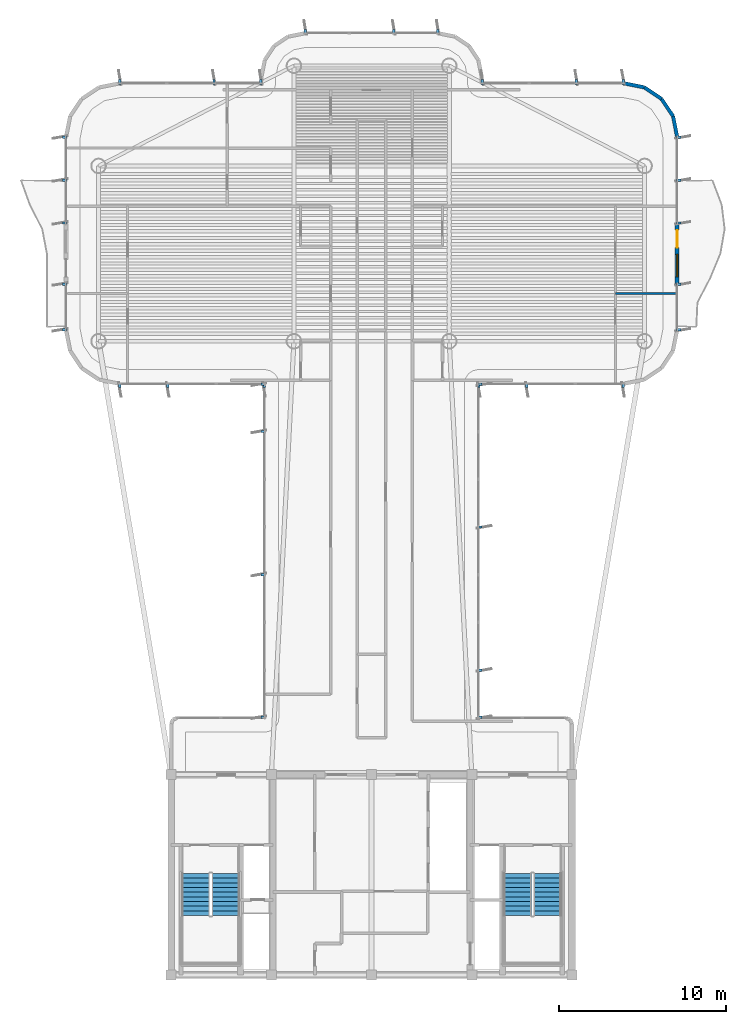
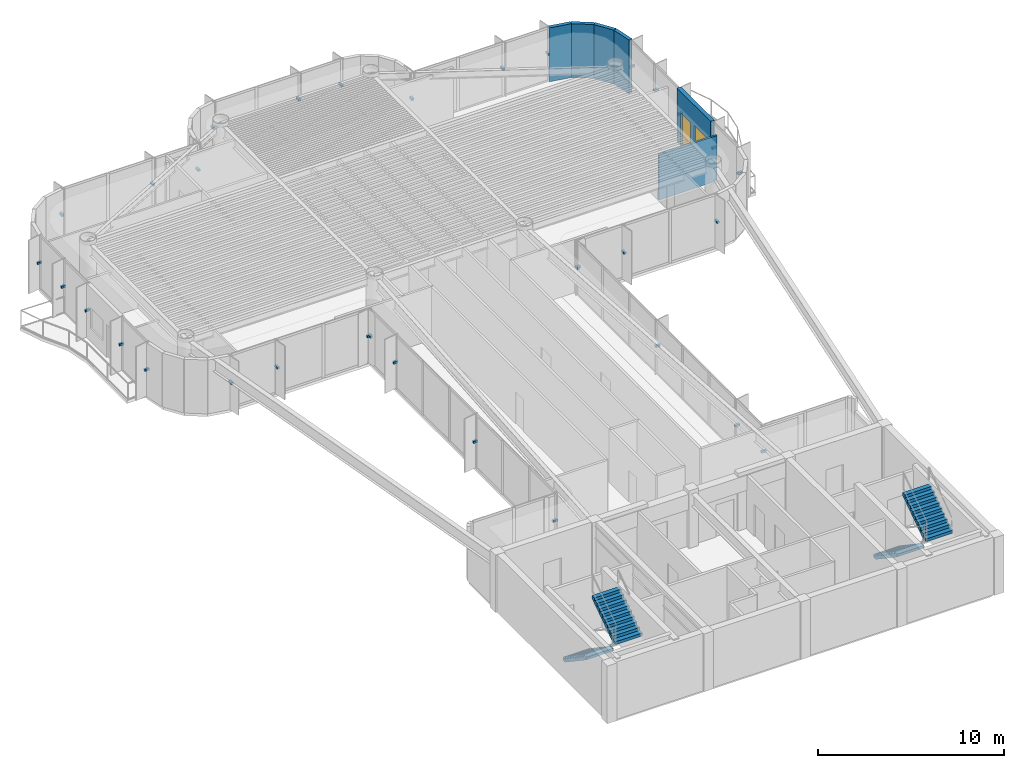
# One storey, part 13 of 15: 33 discrete accessories, 6 walls, 4 stair flights, 1 door, 1 window, 2 openings, 2 elements without a shape of their own.
"""IFC4 building model written with IfcOpenShell, lengths in metres."""

from ifc_helpers import new_model, si_unit, direction, frame, frame_2d, origin, origin_2d, place, context, subcontext, project, spatial, polyline, rectangle, outline, extrude, source, transform, mapped, material, layer, layer_set, type_object, element, fill, aggregate, save


model = new_model("IFC4")

# Units and contexts
model_context = context("Model", 3, precision=1e-05, world=origin(), true_north=direction((0.0, 1.0)))
body_context = subcontext(model_context, "Body", "Model", "MODEL_VIEW")
ifc_project = project(units=[si_unit("LENGTHUNIT", "METRE"), si_unit("AREAUNIT", "SQUARE_METRE"), si_unit("VOLUMEUNIT", "CUBIC_METRE"), si_unit("PLANEANGLEUNIT", "RADIAN"), si_unit("MASSUNIT", "GRAM", prefix="KILO")], contexts=[model_context])

# Site, building, storey
site_placement = place(None, origin())
site = spatial("IfcSite", under=ifc_project, at=site_placement, CompositionType="ELEMENT")
building_placement = place(site_placement, origin())
building = spatial("IfcBuilding", under=site, at=building_placement, Name="Brelvock Crest Care Tower", CompositionType="ELEMENT")
storey_placement = place(building_placement, frame((0.0, 0.0, 272.159912109375)))
storey = spatial("IfcBuildingStorey", under=building, at=storey_placement, Name="L69", CompositionType="ELEMENT", Elevation=272.159912109375)

# Wall, openings, door, window
ifc_material_1 = material(Name="Precast concrete N40 (40 MPa)", Category="concrete")
ifc_layer_1 = layer(ifc_material_1, 0.239990234375, Name="WL-EX1")
ifc_layer_set_1 = layer_set([ifc_layer_1], Name="Precast concrete N40 (40 MPa)")
wall_type_1 = type_object("IfcWallType", Name="WL-EX1", PredefinedType="SOLIDWALL", material=ifc_layer_set_1)
wall_1_placement = place(storey_placement, frame((54.300048828125, 51.0, 0.0), z_axis=(0.0, 0.0, 1.0), x_axis=(0.0, -1.0, 0.0)))
wall_1 = element("IfcWall", 1, at=wall_1_placement, inside=storey, type_object=wall_type_1, Name="L69 Exterior Spandrel Wall WL-BAL-L69-E", PredefinedType="SOLIDWALL", context=body_context, shape_type="SweptSolid", body=[
    extrude(rectangle(XDim=3.60009765625, YDim=0.239990234375, at=frame_2d((1.800048828125, 0.0))), origin(), (0.0, 0.0, 1.0), 3.530029296875),
])
opening_1_placement = place(wall_1_placement, frame((0.39990234375, 0.0, 0.0)))
opening_1 = element("IfcOpeningElement", 2, at=opening_1_placement, cuts=wall_1, Name="Opening BD-1", PredefinedType="OPENING", context=body_context, shape_type="SweptSolid", body=[
    extrude(rectangle(XDim=1.050048828125, YDim=2.14990234375, at=origin_2d()), frame((0.52490234375, 0.1298828125, 1.074951171875), z_axis=(0.0, -1.0, 0.0), x_axis=(1.0, 0.0, 0.0)), (0.0, 0.0, 1.0), 0.260009765625),
])
opening_2_placement = place(wall_1_placement, frame((1.85009765625, 0.0, 0.85009765625)))
opening_2 = element("IfcOpeningElement", 3, at=opening_2_placement, cuts=wall_1, Name="Opening W-01", PredefinedType="OPENING", context=body_context, shape_type="SweptSolid", body=[
    extrude(rectangle(XDim=1.35009765625, YDim=1.35009765625, at=origin_2d()), frame((0.675048828125, 0.1298828125, 0.675048828125), z_axis=(0.0, -1.0, 0.0), x_axis=(1.0, 0.0, 0.0)), (0.0, 0.0, 1.0), 0.260009765625),
])
ifc_material_2 = material(Name="Dark Glass Double Glazed Low-E", Category="glass")
door_type = type_object("IfcDoorType", Name="DR-BAL1", OperationType="NOTDEFINED", PredefinedType="DOOR", material=ifc_material_2)
shared_shape_1 = source(origin(), body_context, "Body", "SweptSolid", [
    extrude(rectangle(XDim=1.050048828125, YDim=2.14990234375, at=origin_2d()), frame((0.52490234375, 0.02490234375, 1.074951171875), z_axis=(0.0, -1.0, 0.0), x_axis=(1.0, 0.0, 0.0)), (0.0, 0.0, 1.0), 0.050048828125),
])
door_placement = place(opening_1_placement, origin())
door = element("IfcDoor", 4, at=door_placement, inside=storey, type_object=door_type, Name="L69 E Wave Balcony Glazed Door", OperationType="SINGLE_SWING_RIGHT", OverallHeight=2.14990234375, OverallWidth=1.050048828125, PredefinedType="DOOR", context=body_context, shape_type="MappedRepresentation", body=[
    mapped(shared_shape_1, transform((0.0, 0.0, 0.0), x_axis=(1.0, 0.0, 0.0), y_axis=(0.0, 1.0, 0.0), z_axis=(0.0, 0.0, 1.0), scale=1.0)),
])
fill(opening_1, door)
window_type = type_object("IfcWindowType", Name="WN-EX1", PartitioningType="SINGLE_PANEL", PredefinedType="WINDOW", material=ifc_material_2)
shared_shape_2 = source(origin(), body_context, "Body", "SweptSolid", [
    extrude(rectangle(XDim=1.35009765625, YDim=1.35009765625, at=origin_2d()), frame((0.675048828125, 0.030029296875, 0.675048828125), z_axis=(0.0, -1.0, 0.0), x_axis=(1.0, 0.0, 0.0)), (0.0, 0.0, 1.0), 0.06005859375),
])
window_placement = place(opening_2_placement, origin())
window = element("IfcWindow", 5, at=window_placement, inside=storey, type_object=window_type, Name="L69 E Suite Casement Window", OverallHeight=1.35009765625, OverallWidth=1.35009765625, PartitioningType="SINGLE_PANEL", PredefinedType="WINDOW", context=body_context, shape_type="MappedRepresentation", body=[
    mapped(shared_shape_2, transform((0.0, 0.0, 0.0), x_axis=(1.0, 0.0, 0.0), y_axis=(0.0, 1.0, 0.0), z_axis=(0.0, 0.0, 1.0), scale=1.0)),
])
fill(opening_2, window)

# Walls
ifc_layer_2 = layer(ifc_material_1, 0.215087890625, Name="WL-EX2")
ifc_layer_set_2 = layer_set([ifc_layer_2], Name="Precast concrete N40 (40 MPa)")
wall_type_2 = type_object("IfcWallType", Name="WL-EX2", PredefinedType="SOLIDWALL", material=ifc_layer_set_2)
for number, where, z_axis, x_axis, name in (
    (6, (51.10009765625, 59.39990234375, 0.0), (0.0, 0.0, 1.0), (0.980813122964, -0.194950295773, 0.0), "L69 Rounded Corner Wall 35"),
    (7, (52.32470703125, 59.156494140625, 0.0), (0.0, 0.0, 1.0), (0.831387912822, -0.555692485475, 0.0), "L69 Rounded Corner Wall 36"),
    (8, (53.36279296875, 58.462646484375, 0.0), (0.0, 0.0, 1.0), (0.555557312883, -0.831478245117, 0.0), "L69 Rounded Corner Wall 37"),
    (9, (54.056396484375, 57.424560546875, 0.0), (0.0, 0.0, 1.0), (0.195138390419, -0.980775717779, 0.0), "L69 Rounded Corner Wall 38"),
):
    element("IfcWall", number, at=place(storey_placement, frame(where, z_axis=z_axis, x_axis=x_axis)), inside=storey, type_object=wall_type_2, Name=name, PredefinedType="SOLIDWALL", context=body_context, shape_type="SweptSolid", body=[
        extrude(rectangle(XDim=1.24853515625, YDim=0.215087890625, at=frame_2d((0.624267578125, 0.0))), origin(), (0.0, 0.0, 1.0), 3.530029296875),
    ])
ifc_material_3 = material(Name="Gypsum Plasterboard Partition", Category="gypsum")
ifc_layer_3 = layer(ifc_material_3, 0.1201171875, Name="WL-INT2")
ifc_layer_set_3 = layer_set([ifc_layer_3], Name="Gypsum Plasterboard Partition")
wall_type_3 = type_object("IfcWallType", Name="WL-INT2", PredefinedType="PARTITIONING", material=ifc_layer_set_3)
wall_2_placement = place(storey_placement, frame((50.610107421875, 46.820068359375, 0.0), z_axis=(0.0, 0.0, 1.0), x_axis=(1.0, 0.0, 0.0)))
element("IfcWall", 10, at=wall_2_placement, inside=storey, type_object=wall_type_3, Name="L69 Interior Wall WL-UBSP-L69-EF1", PredefinedType="PARTITIONING", context=body_context, shape_type="SweptSolid", body=[
    extrude(rectangle(XDim=3.60986328125, YDim=0.1201171875, at=frame_2d((1.804931640625, 0.0))), origin(), (0.0, 0.0, 1.0), 2.982177734375),
])

# Stair, stair flights
ifc_material_4 = material(Name="Concrete N40 (40 MPa)", Category="concrete")
stair_type = type_object("IfcStairType", Name="ST-CORE1", PredefinedType="HALF_TURN_STAIR", material=ifc_material_4)
stair_1_placement = place(storey_placement, origin())
stair_1 = element("IfcStair", 11, at=stair_1_placement, inside=storey, type_object=stair_type, Name="L69 Fire-Isolated Core Stair ST-1", PredefinedType="HALF_TURN_STAIR")
stair_flight_type = type_object("IfcStairFlightType", Name="STF-1", PredefinedType="STRAIGHT", material=ifc_material_4)
stair_flight_1_placement = place(storey_placement, frame((25.469970703125, 12.080078125, 0.0), z_axis=(0.0, 0.0, 1.0), x_axis=(0.0, -1.0, 0.0)))
stair_flight_1 = element("IfcStairFlight", 12, at=stair_flight_1_placement, type_object=stair_flight_type, Name="ST-1 flight 1", NumberOfRisers=10, NumberOfTreads=9, PredefinedType="STRAIGHT", RiserHeight=0.189, TreadLength=0.28, context=body_context, shape_type="SweptSolid", body=[
    extrude(outline(polyline([(-0.00390625, -0.014892578125), (-0.00390625, -0.0078125), (-0.00390625, -0.00048828125), (-0.00390625, 0.0068359375), (-0.00390625, 0.01416015625), (-0.00390625, 0.021484375), (-0.00390625, 0.02880859375), (-0.00390625, 0.035888671875), (-0.00390625, 0.043212890625), (-0.00390625, 0.050537109375), (-0.00390625, 0.057861328125), (-0.00390625, 0.065185546875), (-0.00390625, 0.072509765625), (-0.00390625, 0.07958984375), (-0.00390625, 0.0869140625), (-0.00390625, 0.09423828125), (-0.00390625, 0.1015625), (-0.00390625, 0.10888671875), (-0.00390625, 0.1162109375), (-0.00390625, 0.12353515625), (-0.00390625, 0.130615234375), (-0.00390625, 0.137939453125), (-0.00390625, 0.145263671875), (-0.00390625, 0.152587890625), (-0.00390625, 0.159912109375), (-0.00390625, 0.167236328125), (-0.00390625, 0.17431640625), (-0.00390625, 0.181640625), (-0.00390625, 0.18896484375), (0.0, 0.18896484375), (0.280029296875, 0.18896484375), (0.280029296875, 0.3779296875), (0.56005859375, 0.3779296875), (0.56005859375, 0.56689453125), (0.840087890625, 0.56689453125), (0.840087890625, 0.756103515625), (1.1201171875, 0.756103515625), (1.1201171875, 0.945068359375), (1.39990234375, 0.945068359375), (1.39990234375, 1.134033203125), (1.679931640625, 1.134033203125), (1.679931640625, 1.322998046875), (1.9599609375, 1.322998046875), (1.9599609375, 1.511962890625), (2.239990234375, 1.511962890625), (2.239990234375, 1.700927734375), (2.52001953125, 1.700927734375), (2.52392578125, 1.700927734375), (2.523681640625, 1.70068359375), (2.52392578125, 1.700439453125), (2.523681640625, 1.699951171875), (2.52392578125, 1.69970703125), (2.523681640625, 1.699462890625), (2.52392578125, 1.698974609375), (2.523681640625, 1.69873046875), (2.52392578125, 1.698486328125), (2.523681640625, 1.697998046875), (2.52392578125, 1.69775390625), (2.523681640625, 1.697509765625), (2.52392578125, 1.697021484375), (2.523681640625, 1.69677734375), (2.52392578125, 1.696533203125), (2.523681640625, 1.6962890625), (2.52392578125, 1.69580078125), (2.523681640625, 1.695556640625), (2.52392578125, 1.6953125), (2.523681640625, 1.69482421875), (2.52392578125, 1.694580078125), (2.523681640625, 1.6943359375), (2.52392578125, 1.69384765625), (2.523681640625, 1.693603515625), (2.52392578125, 1.693359375), (2.523681640625, 1.69287109375), (2.52392578125, 1.692626953125), (2.523681640625, 1.6923828125), (2.52392578125, 1.69189453125), (2.52001953125, 1.520263671875), (0.267822265625, 0.0), (0.0, 0.0), (0.0, -0.014892578125), (-0.00390625, -0.014892578125)])), frame((0.0, 0.83984375, 0.0), z_axis=(0.0, -1.0, 0.0), x_axis=(1.0, 0.0, 0.0)), (0.0, 0.0, 1.0), 1.679931640625),
])
stair_flight_2_placement = place(storey_placement, frame((27.27001953125, 9.56005859375, 1.89013671875), z_axis=(0.0, 0.0, 1.0), x_axis=(0.0, 1.0, 0.0)))
stair_flight_2 = element("IfcStairFlight", 13, at=stair_flight_2_placement, type_object=stair_flight_type, Name="ST-1 flight 2", NumberOfRisers=10, NumberOfTreads=9, PredefinedType="STRAIGHT", RiserHeight=0.189, TreadLength=0.28, context=body_context, shape_type="SweptSolid", body=[
    extrude(outline(polyline([(-0.00390625, -0.014892578125), (-0.00390625, -0.0078125), (-0.00390625, -0.00048828125), (-0.00390625, 0.0068359375), (-0.00390625, 0.01416015625), (-0.00390625, 0.021484375), (-0.00390625, 0.02880859375), (-0.00390625, 0.035888671875), (-0.00390625, 0.043212890625), (-0.00390625, 0.050537109375), (-0.00390625, 0.057861328125), (-0.00390625, 0.065185546875), (-0.00390625, 0.072509765625), (-0.00390625, 0.07958984375), (-0.00390625, 0.0869140625), (-0.00390625, 0.09423828125), (-0.00390625, 0.1015625), (-0.00390625, 0.10888671875), (-0.00390625, 0.1162109375), (-0.00390625, 0.12353515625), (-0.00390625, 0.130615234375), (-0.00390625, 0.137939453125), (-0.00390625, 0.145263671875), (-0.00390625, 0.152587890625), (-0.00390625, 0.159912109375), (-0.00390625, 0.167236328125), (-0.00390625, 0.17431640625), (-0.00390625, 0.181640625), (-0.00390625, 0.18896484375), (0.0, 0.18896484375), (0.280029296875, 0.18896484375), (0.280029296875, 0.3779296875), (0.56005859375, 0.3779296875), (0.56005859375, 0.56689453125), (0.840087890625, 0.56689453125), (0.840087890625, 0.756103515625), (1.1201171875, 0.756103515625), (1.1201171875, 0.945068359375), (1.39990234375, 0.945068359375), (1.39990234375, 1.134033203125), (1.679931640625, 1.134033203125), (1.679931640625, 1.322998046875), (1.9599609375, 1.322998046875), (1.9599609375, 1.511962890625), (2.239990234375, 1.511962890625), (2.239990234375, 1.700927734375), (2.52001953125, 1.700927734375), (2.52392578125, 1.700927734375), (2.523681640625, 1.70068359375), (2.52392578125, 1.700439453125), (2.523681640625, 1.699951171875), (2.52392578125, 1.69970703125), (2.523681640625, 1.699462890625), (2.52392578125, 1.698974609375), (2.523681640625, 1.69873046875), (2.52392578125, 1.698486328125), (2.523681640625, 1.697998046875), (2.52392578125, 1.69775390625), (2.523681640625, 1.697509765625), (2.52392578125, 1.697021484375), (2.523681640625, 1.69677734375), (2.52392578125, 1.696533203125), (2.523681640625, 1.6962890625), (2.52392578125, 1.69580078125), (2.523681640625, 1.695556640625), (2.52392578125, 1.6953125), (2.523681640625, 1.69482421875), (2.52392578125, 1.694580078125), (2.523681640625, 1.6943359375), (2.52392578125, 1.69384765625), (2.523681640625, 1.693603515625), (2.52392578125, 1.693359375), (2.523681640625, 1.69287109375), (2.52392578125, 1.692626953125), (2.523681640625, 1.6923828125), (2.52392578125, 1.69189453125), (2.52001953125, 1.520263671875), (0.267822265625, 0.0), (0.0, 0.0), (0.0, -0.014892578125), (-0.00390625, -0.014892578125)])), frame((0.0, 0.83984375, 0.0), z_axis=(0.0, -1.0, 0.0), x_axis=(1.0, 0.0, 0.0)), (0.0, 0.0, 1.0), 1.679931640625),
])
aggregate(stair_1, [stair_flight_1, stair_flight_2])

stair_2_placement = place(storey_placement, origin())
stair_2 = element("IfcStair", 14, at=stair_2_placement, inside=storey, type_object=stair_type, Name="L69 Fire-Isolated Core Stair ST-2", PredefinedType="HALF_TURN_STAIR")
stair_flight_3_placement = place(storey_placement, frame((44.72998046875, 12.080078125, 0.0), z_axis=(0.0, 0.0, 1.0), x_axis=(0.0, -1.0, 0.0)))
stair_flight_3 = element("IfcStairFlight", 15, at=stair_flight_3_placement, type_object=stair_flight_type, Name="ST-2 flight 1", NumberOfRisers=10, NumberOfTreads=9, PredefinedType="STRAIGHT", RiserHeight=0.189, TreadLength=0.28, context=body_context, shape_type="SweptSolid", body=[
    extrude(outline(polyline([(-0.00390625, -0.014892578125), (-0.00390625, -0.0078125), (-0.00390625, -0.00048828125), (-0.00390625, 0.0068359375), (-0.00390625, 0.01416015625), (-0.00390625, 0.021484375), (-0.00390625, 0.02880859375), (-0.00390625, 0.035888671875), (-0.00390625, 0.043212890625), (-0.00390625, 0.050537109375), (-0.00390625, 0.057861328125), (-0.00390625, 0.065185546875), (-0.00390625, 0.072509765625), (-0.00390625, 0.07958984375), (-0.00390625, 0.0869140625), (-0.00390625, 0.09423828125), (-0.00390625, 0.1015625), (-0.00390625, 0.10888671875), (-0.00390625, 0.1162109375), (-0.00390625, 0.12353515625), (-0.00390625, 0.130615234375), (-0.00390625, 0.137939453125), (-0.00390625, 0.145263671875), (-0.00390625, 0.152587890625), (-0.00390625, 0.159912109375), (-0.00390625, 0.167236328125), (-0.00390625, 0.17431640625), (-0.00390625, 0.181640625), (-0.00390625, 0.18896484375), (0.0, 0.18896484375), (0.280029296875, 0.18896484375), (0.280029296875, 0.3779296875), (0.56005859375, 0.3779296875), (0.56005859375, 0.56689453125), (0.840087890625, 0.56689453125), (0.840087890625, 0.756103515625), (1.1201171875, 0.756103515625), (1.1201171875, 0.945068359375), (1.39990234375, 0.945068359375), (1.39990234375, 1.134033203125), (1.679931640625, 1.134033203125), (1.679931640625, 1.322998046875), (1.9599609375, 1.322998046875), (1.9599609375, 1.511962890625), (2.239990234375, 1.511962890625), (2.239990234375, 1.700927734375), (2.52001953125, 1.700927734375), (2.52392578125, 1.700927734375), (2.523681640625, 1.70068359375), (2.52392578125, 1.700439453125), (2.523681640625, 1.699951171875), (2.52392578125, 1.69970703125), (2.523681640625, 1.699462890625), (2.52392578125, 1.698974609375), (2.523681640625, 1.69873046875), (2.52392578125, 1.698486328125), (2.523681640625, 1.697998046875), (2.52392578125, 1.69775390625), (2.523681640625, 1.697509765625), (2.52392578125, 1.697021484375), (2.523681640625, 1.69677734375), (2.52392578125, 1.696533203125), (2.523681640625, 1.6962890625), (2.52392578125, 1.69580078125), (2.523681640625, 1.695556640625), (2.52392578125, 1.6953125), (2.523681640625, 1.69482421875), (2.52392578125, 1.694580078125), (2.523681640625, 1.6943359375), (2.52392578125, 1.69384765625), (2.523681640625, 1.693603515625), (2.52392578125, 1.693359375), (2.523681640625, 1.69287109375), (2.52392578125, 1.692626953125), (2.523681640625, 1.6923828125), (2.52392578125, 1.69189453125), (2.52001953125, 1.520263671875), (0.267822265625, 0.0), (0.0, 0.0), (0.0, -0.014892578125), (-0.00390625, -0.014892578125)])), frame((0.0, 0.83984375, 0.0), z_axis=(0.0, -1.0, 0.0), x_axis=(1.0, 0.0, 0.0)), (0.0, 0.0, 1.0), 1.679931640625),
])
stair_flight_4_placement = place(storey_placement, frame((46.530029296875, 9.56005859375, 1.89013671875), z_axis=(0.0, 0.0, 1.0), x_axis=(0.0, 1.0, 0.0)))
stair_flight_4 = element("IfcStairFlight", 16, at=stair_flight_4_placement, type_object=stair_flight_type, Name="ST-2 flight 2", NumberOfRisers=10, NumberOfTreads=9, PredefinedType="STRAIGHT", RiserHeight=0.189, TreadLength=0.28, context=body_context, shape_type="SweptSolid", body=[
    extrude(outline(polyline([(-0.00390625, -0.014892578125), (-0.00390625, -0.0078125), (-0.00390625, -0.00048828125), (-0.00390625, 0.0068359375), (-0.00390625, 0.01416015625), (-0.00390625, 0.021484375), (-0.00390625, 0.02880859375), (-0.00390625, 0.035888671875), (-0.00390625, 0.043212890625), (-0.00390625, 0.050537109375), (-0.00390625, 0.057861328125), (-0.00390625, 0.065185546875), (-0.00390625, 0.072509765625), (-0.00390625, 0.07958984375), (-0.00390625, 0.0869140625), (-0.00390625, 0.09423828125), (-0.00390625, 0.1015625), (-0.00390625, 0.10888671875), (-0.00390625, 0.1162109375), (-0.00390625, 0.12353515625), (-0.00390625, 0.130615234375), (-0.00390625, 0.137939453125), (-0.00390625, 0.145263671875), (-0.00390625, 0.152587890625), (-0.00390625, 0.159912109375), (-0.00390625, 0.167236328125), (-0.00390625, 0.17431640625), (-0.00390625, 0.181640625), (-0.00390625, 0.18896484375), (0.0, 0.18896484375), (0.280029296875, 0.18896484375), (0.280029296875, 0.3779296875), (0.56005859375, 0.3779296875), (0.56005859375, 0.56689453125), (0.840087890625, 0.56689453125), (0.840087890625, 0.756103515625), (1.1201171875, 0.756103515625), (1.1201171875, 0.945068359375), (1.39990234375, 0.945068359375), (1.39990234375, 1.134033203125), (1.679931640625, 1.134033203125), (1.679931640625, 1.322998046875), (1.9599609375, 1.322998046875), (1.9599609375, 1.511962890625), (2.239990234375, 1.511962890625), (2.239990234375, 1.700927734375), (2.52001953125, 1.700927734375), (2.52392578125, 1.700927734375), (2.523681640625, 1.70068359375), (2.52392578125, 1.700439453125), (2.523681640625, 1.699951171875), (2.52392578125, 1.69970703125), (2.523681640625, 1.699462890625), (2.52392578125, 1.698974609375), (2.523681640625, 1.69873046875), (2.52392578125, 1.698486328125), (2.523681640625, 1.697998046875), (2.52392578125, 1.69775390625), (2.523681640625, 1.697509765625), (2.52392578125, 1.697021484375), (2.523681640625, 1.69677734375), (2.52392578125, 1.696533203125), (2.523681640625, 1.6962890625), (2.52392578125, 1.69580078125), (2.523681640625, 1.695556640625), (2.52392578125, 1.6953125), (2.523681640625, 1.69482421875), (2.52392578125, 1.694580078125), (2.523681640625, 1.6943359375), (2.52392578125, 1.69384765625), (2.523681640625, 1.693603515625), (2.52392578125, 1.693359375), (2.523681640625, 1.69287109375), (2.52392578125, 1.692626953125), (2.523681640625, 1.6923828125), (2.52392578125, 1.69189453125), (2.52001953125, 1.520263671875), (0.267822265625, 0.0), (0.0, 0.0), (0.0, -0.014892578125), (-0.00390625, -0.014892578125)])), frame((0.0, 0.83984375, 0.0), z_axis=(0.0, -1.0, 0.0), x_axis=(1.0, 0.0, 0.0)), (0.0, 0.0, 1.0), 1.679931640625),
])
aggregate(stair_2, [stair_flight_3, stair_flight_4])

# Discrete accessories
ifc_material_5 = material(Name="Steel Grade 350", Category="steel")
discrete_accessory_type = type_object("IfcDiscreteAccessoryType", Name="ACC-BRK1", PredefinedType="BRACKET", material=ifc_material_5)
shared_shape_3 = source(origin(), body_context, "Body", "SweptSolid", [
    extrude(rectangle(XDim=0.280029296875, YDim=0.139892578125, at=origin_2d()), origin(), (0.0, 0.0, 1.0), 0.139892578125),
])
for number, where, z_axis, x_axis, name in (
    (17, (29.52001953125, 21.429931640625, 1.6953125), (0.0, 0.0, 1.0), (-1.0, 0.0, 0.0), "L69 Facade Fin Bracket E11-01"),
    (18, (29.52001953125, 29.971435546875, 1.6953125), (0.0, 0.0, 1.0), (-1.0, 0.0, 0.0), "L69 Facade Fin Bracket E11-04"),
    (19, (29.52001953125, 38.54296875, 1.6953125), (0.0, 0.0, 1.0), (-1.0, 0.0, 0.0), "L69 Facade Fin Bracket E11-07"),
    (20, (29.52001953125, 41.3701171875, 1.6953125), (0.0, 0.0, 1.0), (-1.0, 0.0, 0.0), "L69 Facade Fin Bracket E11-08"),
    (21, (29.570068359375, 41.320068359375, 1.6953125), (0.0, 0.0, 1.0), (0.0, -1.0, 0.0), "L69 Facade Fin Bracket E12-01"),
    (22, (23.800048828125, 41.320068359375, 1.6953125), (0.0, 0.0, 1.0), (0.0, -1.0, 0.0), "L69 Facade Fin Bracket E12-03"),
    (23, (20.929931640625, 41.320068359375, 1.6953125), (0.0, 0.0, 1.0), (0.0, -1.0, 0.0), "L69 Facade Fin Bracket E12-04"),
    (24, (17.6201171875, 44.6298828125, 1.6953125), (0.0, 0.0, 1.0), (-1.0, 0.0, 0.0), "L69 Facade Fin Bracket E17A-01"),
    (25, (17.6201171875, 47.3701171875, 1.6953125), (0.0, 0.0, 1.0), (-1.0, 0.0, 0.0), "L69 Facade Fin Bracket E17A-02"),
    (26, (17.6201171875, 51.030029296875, 1.6953125), (0.0, 0.0, 1.0), (-1.0, 0.0, 0.0), "L69 Facade Fin Bracket E17B-01"),
    (27, (17.6201171875, 53.60009765625, 1.6953125), (0.0, 0.0, 1.0), (-1.0, 0.0, 0.0), "L69 Facade Fin Bracket E17B-02"),
    (28, (17.6201171875, 56.169921875, 1.6953125), (0.0, 0.0, 1.0), (-1.0, 0.0, 0.0), "L69 Facade Fin Bracket E17B-03"),
    (29, (20.929931640625, 59.47998046875, 1.6953125), (0.0, 0.0, 1.0), (0.0, 1.0, 0.0), "L69 Facade Fin Bracket E22-01"),
    (30, (26.566650390625, 59.47998046875, 1.6953125), (0.0, 0.0, 1.0), (0.0, 1.0, 0.0), "L69 Facade Fin Bracket E22-03"),
    (31, (29.3701171875, 59.47998046875, 1.6953125), (0.0, 0.0, 1.0), (0.0, 1.0, 0.0), "L69 Facade Fin Bracket E22-04"),
    (32, (32.030029296875, 62.47998046875, 1.6953125), (0.0, 0.0, 1.0), (0.0, 1.0, 0.0), "L69 Facade Fin Bracket E28-01"),
    (33, (37.333251953125, 62.47998046875, 1.6953125), (0.0, 0.0, 1.0), (0.0, 1.0, 0.0), "L69 Facade Fin Bracket E28-03"),
    (34, (39.969970703125, 62.47998046875, 1.6953125), (0.0, 0.0, 1.0), (0.0, 1.0, 0.0), "L69 Facade Fin Bracket E28-04"),
    (35, (42.6298828125, 59.47998046875, 1.6953125), (0.0, 0.0, 1.0), (0.0, 1.0, 0.0), "L69 Facade Fin Bracket E34-01"),
    (36, (48.2666015625, 59.47998046875, 1.6953125), (0.0, 0.0, 1.0), (0.0, 1.0, 0.0), "L69 Facade Fin Bracket E34-03"),
    (37, (51.070068359375, 59.47998046875, 1.6953125), (0.0, 0.0, 1.0), (0.0, 1.0, 0.0), "L69 Facade Fin Bracket E34-04"),
    (38, (54.3798828125, 56.169921875, 1.6953125), (0.0, 0.0, 1.0), (1.0, 0.0, 0.0), "L69 Facade Fin Bracket E39A-01"),
    (39, (54.3798828125, 53.60009765625, 1.6953125), (0.0, 0.0, 1.0), (1.0, 0.0, 0.0), "L69 Facade Fin Bracket E39A-02"),
    (40, (54.3798828125, 51.030029296875, 1.6953125), (0.0, 0.0, 1.0), (1.0, 0.0, 0.0), "L69 Facade Fin Bracket E39A-03"),
    (41, (54.3798828125, 47.3701171875, 1.6953125), (0.0, 0.0, 1.0), (1.0, 0.0, 0.0), "L69 Facade Fin Bracket E39B-01"),
    (42, (54.3798828125, 44.6298828125, 1.6953125), (0.0, 0.0, 1.0), (1.0, 0.0, 0.0), "L69 Facade Fin Bracket E39B-02"),
    (43, (51.070068359375, 41.320068359375, 1.6953125), (0.0, 0.0, 1.0), (0.0, -1.0, 0.0), "L69 Facade Fin Bracket E44-01"),
    (44, (45.300048828125, 41.320068359375, 1.6953125), (0.0, 0.0, 1.0), (0.0, -1.0, 0.0), "L69 Facade Fin Bracket E44-03"),
    (45, (42.429931640625, 41.320068359375, 1.6953125), (0.0, 0.0, 1.0), (0.0, -1.0, 0.0), "L69 Facade Fin Bracket E44-04"),
    (46, (42.47998046875, 41.3701171875, 1.6953125), (0.0, 0.0, 1.0), (1.0, 0.0, 0.0), "L69 Facade Fin Bracket E45-01"),
    (47, (42.47998046875, 32.82861328125, 1.6953125), (0.0, 0.0, 1.0), (1.0, 0.0, 0.0), "L69 Facade Fin Bracket E45-04"),
    (48, (42.47998046875, 24.257080078125, 1.6953125), (0.0, 0.0, 1.0), (1.0, 0.0, 0.0), "L69 Facade Fin Bracket E45-07"),
    (49, (42.47998046875, 21.429931640625, 1.6953125), (0.0, 0.0, 1.0), (1.0, 0.0, 0.0), "L69 Facade Fin Bracket E45-08"),
):
    element("IfcDiscreteAccessory", number, at=place(storey_placement, frame(where, z_axis=z_axis, x_axis=x_axis)), inside=storey, type_object=discrete_accessory_type, Name=name, PredefinedType="BRACKET", context=body_context, shape_type="MappedRepresentation", body=[
        mapped(shared_shape_3, transform((0.0, 0.0, 0.0), x_axis=(1.0, 0.0, 0.0), y_axis=(0.0, 1.0, 0.0), z_axis=(0.0, 0.0, 1.0), scale=1.0)),
    ])

save(model, "model.ifc")
